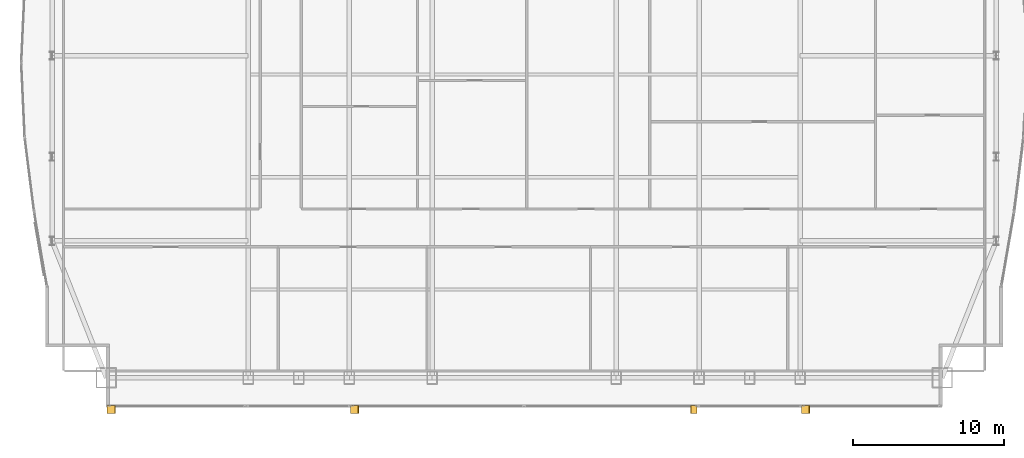
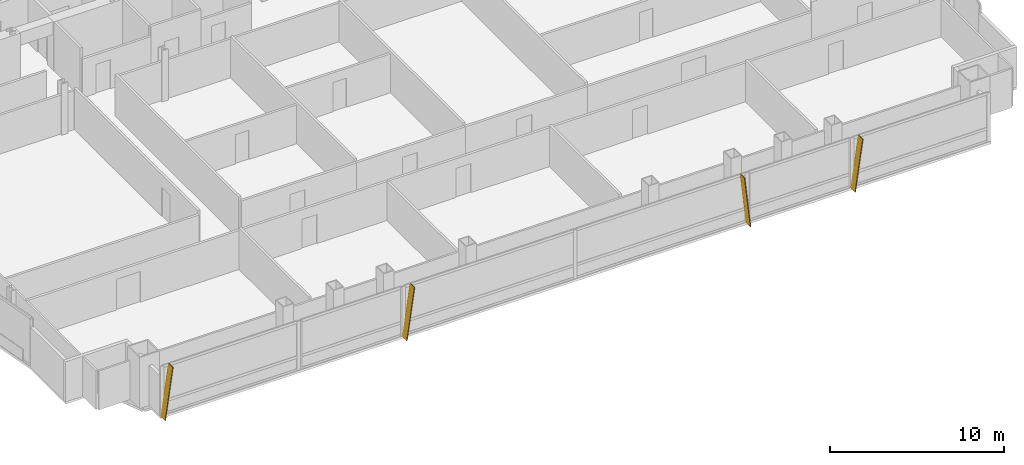
# One storey, part 28 of 29: 4 shading devices.
"""IFC4 building model written with IfcOpenShell, lengths in metres."""

from ifc_helpers import new_model, si_unit, direction, frame, origin, place, context, subcontext, project, spatial, polyline, outline, extrude, material, layer, layer_set, type_object, element, save


model = new_model("IFC4")

# Units and contexts
model_context = context("Model", 3, precision=1e-05, world=origin(), true_north=direction((0.0, 1.0)))
body_context = subcontext(model_context, "Body", "Model", "MODEL_VIEW")
ifc_project = project(units=[si_unit("LENGTHUNIT", "METRE"), si_unit("AREAUNIT", "SQUARE_METRE"), si_unit("VOLUMEUNIT", "CUBIC_METRE"), si_unit("PLANEANGLEUNIT", "RADIAN"), si_unit("MASSUNIT", "GRAM", prefix="KILO")], contexts=[model_context])

# Site, building, storey
site_placement = place(None, origin())
site = spatial("IfcSite", under=ifc_project, at=site_placement, CompositionType="ELEMENT")
building_placement = place(site_placement, origin())
building = spatial("IfcBuilding", under=site, at=building_placement, Name="Khoronbel Lancet Exchange", CompositionType="ELEMENT")
storey_placement = place(building_placement, frame((0.0, 0.0, 150.60009765625)))
storey = spatial("IfcBuildingStorey", under=building, at=storey_placement, Name="L37", CompositionType="ELEMENT", Elevation=150.60009765625)

# Shading devices
ifc_material = material(Name="Bronze-Anodised Aluminium 6063-T6", Category="aluminium")
ifc_layer = layer(ifc_material, 0.054931640625, Name="Bronze-Anodised Aluminium 6063-T6")
ifc_layer_set = layer_set([ifc_layer], Name="Bronze-Anodised Aluminium 6063-T6")
shading_device_type = type_object("IfcShadingDeviceType", Name="SHD-FIN1", PredefinedType="USERDEFINED", material=ifc_layer_set)
for number, where, z_axis, x_axis, name in (
    (1, (8.91259765625, 8.31005859375, -0.080078125), (-0.990092925251, 0.0, 0.140413672296), (0.0, -1.0, 0.0), "Slanted bronze solar fin CW-L37-SWV-0"),
    (2, (24.972412109375, 8.31005859375, -0.080078125), (-0.990083483708, 0.0, 0.140480230955), (0.0, -1.0, 0.0), "Slanted bronze solar fin CW-L37-SCV-0"),
):
    element("IfcShadingDevice", number, at=place(storey_placement, frame(where, z_axis=z_axis, x_axis=x_axis)), inside=storey, type_object=shading_device_type, Name=name, ObjectType="FIN", PredefinedType="USERDEFINED", context=body_context, shape_type="SweptSolid", body=[
        extrude(outline(polyline([(0.0, 0.0), (0.52001953125, 0.0), (0.52001953125, 3.595703125), (0.0, 3.595703125), (0.0, 0.0)])), origin(), (0.0, 0.0, -1.0), 0.054931640625),
    ])
shading_device_1_placement = place(storey_placement, frame((47.87255859375, 8.31005859375, -0.080078125), z_axis=(0.993900347655, 0.0, 0.110281906632), x_axis=(0.0, -1.0, 0.0)))
element("IfcShadingDevice", 3, at=shading_device_1_placement, inside=storey, type_object=shading_device_type, Name="Slanted bronze solar fin CW-L37-SCV-2", ObjectType="FIN", PredefinedType="USERDEFINED", context=body_context, shape_type="SweptSolid", body=[
    extrude(outline(polyline([(0.0, 0.0), (0.52001953125, 0.0), (0.52001953125, -3.581787109375), (0.0, -3.581787109375), (0.0, 0.0)])), origin(), (0.0, 0.0, -1.0), 0.054931640625),
])
shading_device_2_placement = place(storey_placement, frame((54.7724609375, 8.31005859375, -0.080078125), z_axis=(-0.990083483708, 0.0, 0.140480230955), x_axis=(0.0, -1.0, 0.0)))
element("IfcShadingDevice", 4, at=shading_device_2_placement, inside=storey, type_object=shading_device_type, Name="Slanted bronze solar fin CW-L37-SEV-0", ObjectType="FIN", PredefinedType="USERDEFINED", context=body_context, shape_type="SweptSolid", body=[
    extrude(outline(polyline([(0.0, 0.0), (0.52001953125, 0.0), (0.52001953125, 3.595703125), (0.0, 3.595703125), (0.0, 0.0)])), origin(), (0.0, 0.0, -1.0), 0.054931640625),
])

save(model, "model.ifc")
